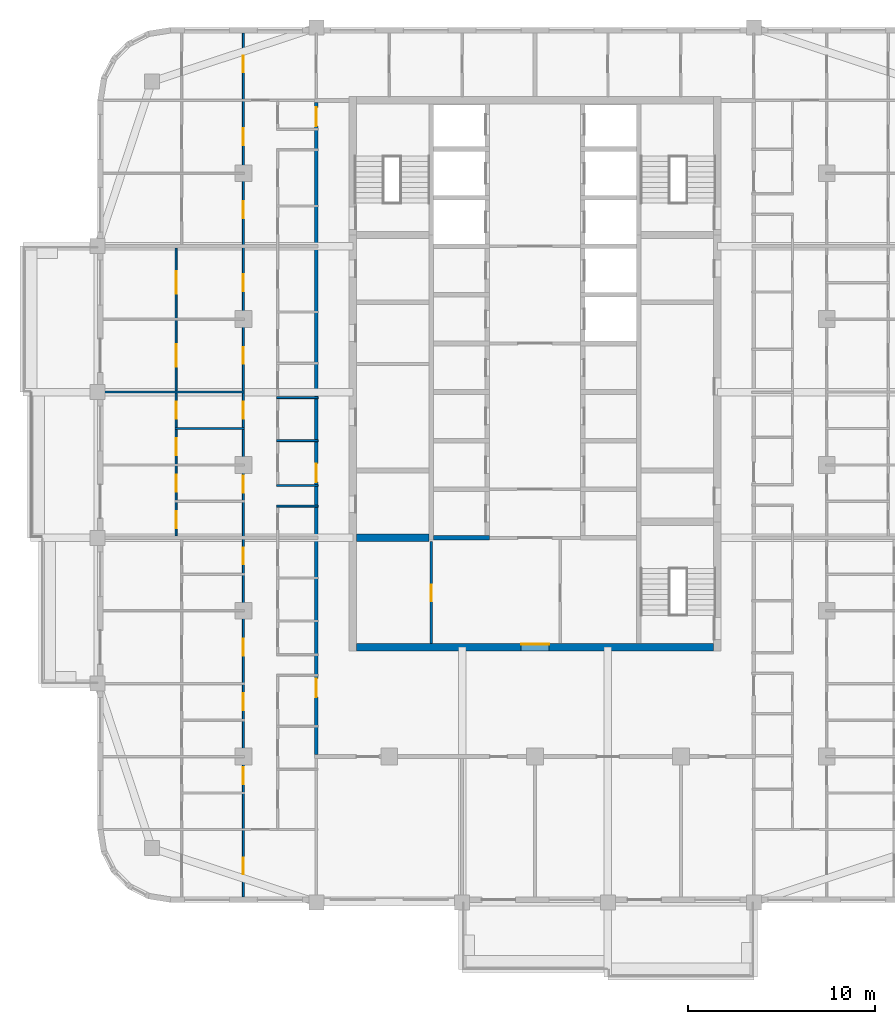
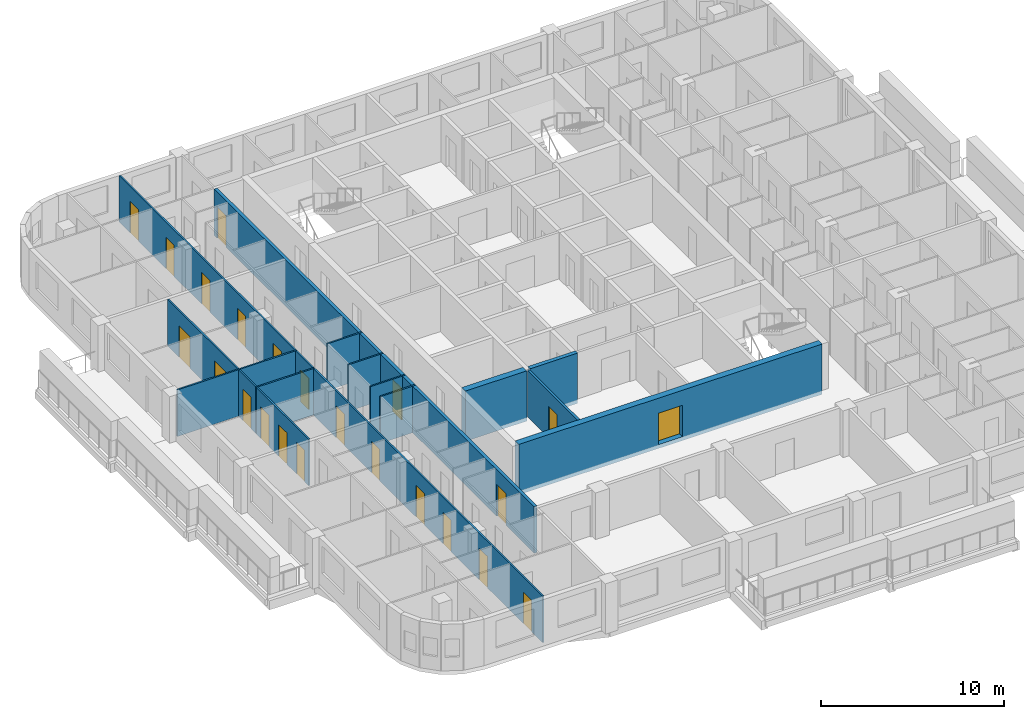
# One storey, part 4 of 16: 23 doors, 13 walls, 23 openings.
"""IFC4 building model written with IfcOpenShell, lengths in metres."""

from ifc_helpers import new_model, si_unit, direction, frame, frame_2d, origin, place, context, subcontext, project, spatial, rectangle, extrude, material, layer, layer_set, type_object, element, fill, save


model = new_model("IFC4")

# Units and contexts
model_context = context("Model", 3, precision=1e-05, world=origin(), true_north=direction((0.0, 1.0)))
body_context = subcontext(model_context, "Body", "Model", "MODEL_VIEW")
ifc_project = project(units=[si_unit("LENGTHUNIT", "METRE"), si_unit("AREAUNIT", "SQUARE_METRE"), si_unit("VOLUMEUNIT", "CUBIC_METRE"), si_unit("PLANEANGLEUNIT", "RADIAN"), si_unit("MASSUNIT", "GRAM", prefix="KILO")], contexts=[model_context])

# Site, building, storey
site_placement = place(None, origin())
site = spatial("IfcSite", under=ifc_project, at=site_placement, CompositionType="ELEMENT")
building_placement = place(site_placement, origin())
building = spatial("IfcBuilding", under=site, at=building_placement, Name="Ludao Terraces", CompositionType="ELEMENT")
storey_placement = place(building_placement, frame((0.0, 0.0, 238.10009765625)))
storey = spatial("IfcBuildingStorey", under=building, at=storey_placement, Name="L65", CompositionType="ELEMENT", Elevation=238.10009765625)

# Wall, opening, door
ifc_material_1 = material(Name="Concrete C50", Category="concrete")
ifc_layer_1 = layer(ifc_material_1, 0.39990234375)
ifc_layer_set_1 = layer_set([ifc_layer_1], Name="Core wall 400 C50")
wall_type_1 = type_object("IfcWallType", Name="Core wall 400 C50", PredefinedType="SOLIDWALL", material=ifc_layer_set_1)
wall_1_placement = place(storey_placement, frame((75.449951171875, 55.25, -0.25), z_axis=(0.0, 0.0, 1.0), x_axis=(1.0, 0.0, 0.0)))
wall_1 = element("IfcWall", 1, at=wall_1_placement, inside=storey, type_object=wall_type_1, Name="Core wall L65 outer-S", PredefinedType="SOLIDWALL", context=body_context, shape_type="SweptSolid", body=[
    extrude(rectangle(XDim=19.10009765625, YDim=0.39990234375, at=frame_2d((9.550048828125, 0.0))), origin(), (0.0, 0.0, 1.0), 3.349853515625),
])
opening_1_placement = place(wall_1_placement, frame((8.800048828125, 0.0, 0.25)))
opening_1 = element("IfcOpeningElement", 2, at=opening_1_placement, cuts=wall_1, Name="Opening R23-034", PredefinedType="OPENING", context=body_context, shape_type="SweptSolid", body=[
    extrude(rectangle(XDim=1.5, YDim=2.10009765625, at=frame_2d((0.75, 1.050048828125))), frame((0.0, 0.2099609375, 0.0), z_axis=(0.0, -1.0, 0.0), x_axis=(1.0, 0.0, 0.0)), (0.0, 0.0, 1.0), 0.419921875),
])
ifc_material_2 = material(Name="Steel Q235", Category="steel")
door_type_1 = type_object("IfcDoorType", Name="INT Lobby door 1500", OperationType="DOUBLE_DOOR_SINGLE_SWING", PredefinedType="DOOR", material=ifc_material_2)
door_1_placement = place(opening_1_placement, origin())
door_1 = element("IfcDoor", 3, at=door_1_placement, inside=storey, type_object=door_type_1, Name="DOOR 034", OperationType="DOUBLE_DOOR_SINGLE_SWING", OverallHeight=2.10009765625, OverallWidth=1.5, PredefinedType="DOOR", context=body_context, shape_type="SweptSolid", body=[
    extrude(rectangle(XDim=1.5, YDim=2.10009765625, at=frame_2d((0.75, 1.050048828125))), frame((0.0, 0.18505859375, 0.0), z_axis=(0.0, -1.0, 0.0), x_axis=(1.0, 0.0, 0.0)), (0.0, 0.0, 1.0), 0.050048828125),
])
fill(opening_1, door_1)

ifc_material_3 = material(Name="Fire-rated gypsum plasterboard", Category="gypsum")
ifc_layer_2 = layer(ifc_material_3, 0.012451171875, Category="gypsum")
ifc_material_4 = material(Name="Mineral wool")
ifc_layer_3 = layer(ifc_material_4, 0.10009765625, Name="insulation")
ifc_layer_4 = layer(ifc_material_2, 0.02490234375, Name="stud")
ifc_layer_5 = layer(ifc_material_3, 0.012451171875, Category="gypsum")
ifc_layer_set_2 = layer_set([ifc_layer_2, ifc_layer_3, ifc_layer_4, ifc_layer_5], Name="INT Core partition 150")
wall_type_2 = type_object("IfcWallType", Name="INT Core partition 150", PredefinedType="PARTITIONING", material=ifc_layer_set_2)
wall_2_placement = place(storey_placement, frame((79.449951171875, 55.4501953125, 0.0), z_axis=(0.0, 0.0, 1.0), x_axis=(0.0, 1.0, 0.0)))
wall_2 = element("IfcWall", 4, at=wall_2_placement, inside=storey, type_object=wall_type_2, Name="PW-L65-PW083", PredefinedType="PARTITIONING", context=body_context, shape_type="SweptSolid", body=[
    extrude(rectangle(XDim=5.449951171875, YDim=0.14990234375, at=frame_2d((2.72509765625, 0.0))), origin(), (0.0, 0.0, 1.0), 3.099853515625),
])
opening_2_placement = place(wall_2_placement, frame((2.25, 0.0, 0.0)))
opening_2 = element("IfcOpeningElement", 5, at=opening_2_placement, cuts=wall_2, Name="Opening R23-041", PredefinedType="OPENING", context=body_context, shape_type="SweptSolid", body=[
    extrude(rectangle(XDim=0.89990234375, YDim=2.10009765625, at=frame_2d((0.449951171875, 1.050048828125))), frame((0.0, 0.0849609375, 0.0), z_axis=(0.0, -1.0, 0.0), x_axis=(1.0, 0.0, 0.0)), (0.0, 0.0, 1.0), 0.169921875),
])
ifc_material_5 = material(Name="Timber door leaf", Category="wood")
door_type_2 = type_object("IfcDoorType", Name="INT Room door 900", OperationType="SINGLE_SWING_LEFT", PredefinedType="DOOR", material=ifc_material_5)
door_2_placement = place(opening_2_placement, origin())
door_2 = element("IfcDoor", 6, at=door_2_placement, inside=storey, type_object=door_type_2, Name="DOOR 041", OperationType="SINGLE_SWING_LEFT", OverallHeight=2.10009765625, OverallWidth=0.89990234375, PredefinedType="DOOR", context=body_context, shape_type="SweptSolid", body=[
    extrude(rectangle(XDim=0.89990234375, YDim=2.10009765625, at=frame_2d((0.449951171875, 1.050048828125))), frame((0.0, 0.02490234375, 0.0), z_axis=(0.0, -1.0, 0.0), x_axis=(1.0, 0.0, 0.0)), (0.0, 0.0, 1.0), 0.050048828125),
])
fill(opening_2, door_2)

# Wall, openings, doors
ifc_material_6 = material(Name="Autoclaved aerated concrete block B06 A3.5", Category="concrete")
ifc_layer_6 = layer(ifc_material_6, 0.199951171875)
ifc_layer_set_3 = layer_set([ifc_layer_6], Name="INT Entrance wall 200")
wall_type_3 = type_object("IfcWallType", Name="INT Entrance wall 200", PredefinedType="PARTITIONING", material=ifc_layer_set_3)
wall_3_placement = place(storey_placement, frame((73.300048828125, 49.5, 0.0), z_axis=(0.0, 0.0, 1.0), x_axis=(0.0, 1.0, 0.0)))
wall_3 = element("IfcWall", 7, at=wall_3_placement, inside=storey, type_object=wall_type_3, Name="PW-L65-PW080", PredefinedType="PARTITIONING", context=body_context, shape_type="SweptSolid", body=[
    extrude(rectangle(XDim=34.900146484375, YDim=0.199951171875, at=frame_2d((17.4501953125, 0.0))), origin(), (0.0, 0.0, 1.0), 3.099853515625),
])
opening_3_placement = place(wall_3_placement, frame((3.0751953125, 0.0, 0.0)))
opening_3 = element("IfcOpeningElement", 8, at=opening_3_placement, cuts=wall_3, Name="Opening R23-030", PredefinedType="OPENING", context=body_context, shape_type="SweptSolid", body=[
    extrude(rectangle(XDim=1.0, YDim=2.10009765625, at=frame_2d((0.5, 1.050048828125))), frame((0.0, 0.10986328125, 0.0), z_axis=(0.0, -1.0, 0.0), x_axis=(1.0, 0.0, 0.0)), (0.0, 0.0, 1.0), 0.219970703125),
])
opening_4_placement = place(wall_3_placement, frame((14.5751953125, 0.0, 0.0)))
opening_4 = element("IfcOpeningElement", 9, at=opening_4_placement, cuts=wall_3, Name="Opening R23-065", PredefinedType="OPENING", context=body_context, shape_type="SweptSolid", body=[
    extrude(rectangle(XDim=1.0, YDim=2.10009765625, at=frame_2d((0.5, 1.050048828125))), frame((0.0, 0.10986328125, 0.0), z_axis=(0.0, -1.0, 0.0), x_axis=(1.0, 0.0, 0.0)), (0.0, 0.0, 1.0), 0.219970703125),
])
opening_5_placement = place(wall_3_placement, frame((33.625, 0.0, 0.0)))
opening_5 = element("IfcOpeningElement", 10, at=opening_5_placement, cuts=wall_3, Name="Opening R23-131", PredefinedType="OPENING", context=body_context, shape_type="SweptSolid", body=[
    extrude(rectangle(XDim=1.0, YDim=2.10009765625, at=frame_2d((0.5, 1.050048828125))), frame((0.0, 0.10986328125, 0.0), z_axis=(0.0, -1.0, 0.0), x_axis=(1.0, 0.0, 0.0)), (0.0, 0.0, 1.0), 0.219970703125),
])
door_type_3 = type_object("IfcDoorType", Name="INT Flat entrance door 1000", OperationType="SINGLE_SWING_LEFT", PredefinedType="DOOR", material=ifc_material_2)
door_3_placement = place(opening_3_placement, origin())
door_3 = element("IfcDoor", 11, at=door_3_placement, inside=storey, type_object=door_type_3, Name="DOOR 030", OperationType="SINGLE_SWING_LEFT", OverallHeight=2.10009765625, OverallWidth=1.0, PredefinedType="DOOR", context=body_context, shape_type="SweptSolid", body=[
    extrude(rectangle(XDim=1.0, YDim=2.10009765625, at=frame_2d((0.5, 1.050048828125))), frame((0.0, 0.02490234375, 0.0), z_axis=(0.0, -1.0, 0.0), x_axis=(1.0, 0.0, 0.0)), (0.0, 0.0, 1.0), 0.050048828125),
])
fill(opening_3, door_3)
door_4_placement = place(opening_4_placement, origin())
door_4 = element("IfcDoor", 12, at=door_4_placement, inside=storey, type_object=door_type_3, Name="DOOR 065", OperationType="SINGLE_SWING_RIGHT", OverallHeight=2.10009765625, OverallWidth=1.0, PredefinedType="DOOR", context=body_context, shape_type="SweptSolid", body=[
    extrude(rectangle(XDim=1.0, YDim=2.10009765625, at=frame_2d((0.5, 1.050048828125))), frame((0.0, 0.02490234375, 0.0), z_axis=(0.0, -1.0, 0.0), x_axis=(1.0, 0.0, 0.0)), (0.0, 0.0, 1.0), 0.050048828125),
])
fill(opening_4, door_4)
door_5_placement = place(opening_5_placement, origin())
door_5 = element("IfcDoor", 13, at=door_5_placement, inside=storey, type_object=door_type_3, Name="DOOR 131", OperationType="SINGLE_SWING_RIGHT", OverallHeight=2.10009765625, OverallWidth=1.0, PredefinedType="DOOR", context=body_context, shape_type="SweptSolid", body=[
    extrude(rectangle(XDim=1.0, YDim=2.10009765625, at=frame_2d((0.5, 1.050048828125))), frame((0.0, 0.02490234375, 0.0), z_axis=(0.0, -1.0, 0.0), x_axis=(1.0, 0.0, 0.0)), (0.0, 0.0, 1.0), 0.050048828125),
])
fill(opening_5, door_5)

# Walls
ifc_material_7 = material(Name="Gypsum plasterboard", Category="gypsum")
ifc_layer_7 = layer(ifc_material_7, 0.012451171875, Category="gypsum")
ifc_layer_8 = layer(ifc_material_4, 0.06005859375, Name="insulation")
ifc_layer_9 = layer(ifc_material_2, 0.014892578125, Name="stud")
ifc_layer_10 = layer(ifc_material_7, 0.012451171875, Category="gypsum")
ifc_layer_set_4 = layer_set([ifc_layer_7, ifc_layer_8, ifc_layer_9, ifc_layer_10], Name="INT Partition 100")
wall_type_4 = type_object("IfcWallType", Name="INT Partition 100", PredefinedType="PARTITIONING", material=ifc_layer_set_4)
for number, where, z_axis, x_axis, name in (
    (14, (71.18017578125, 62.800048828125, 0.0), (0.0, 0.0, 1.0), (1.0, 0.0, 0.0), "PW-L65-PW030"),
    (15, (71.18017578125, 63.89990234375, 0.0), (0.0, 0.0, 1.0), (1.0, 0.0, 0.0), "PW-L65-PW035"),
    (16, (71.18017578125, 66.300048828125, 0.0), (0.0, 0.0, 1.0), (1.0, 0.0, 0.0), "PW-L65-PW039"),
):
    element("IfcWall", number, at=place(storey_placement, frame(where, z_axis=z_axis, x_axis=x_axis)), inside=storey, type_object=wall_type_4, Name=name, PredefinedType="PARTITIONING", context=body_context, shape_type="SweptSolid", body=[
        extrude(rectangle(XDim=2.219970703125, YDim=0.10009765625, at=frame_2d((1.10986328125, 0.0))), origin(), (0.0, 0.0, 1.0), 3.099853515625),
    ])
wall_4_placement = place(storey_placement, frame((65.75, 66.949951171875, 0.0), z_axis=(0.0, 0.0, 1.0), x_axis=(1.0, 0.0, 0.0)))
element("IfcWall", 17, at=wall_4_placement, inside=storey, type_object=wall_type_4, Name="PW-L65-PW041", PredefinedType="PARTITIONING", context=body_context, shape_type="SweptSolid", body=[
    extrude(rectangle(XDim=3.7001953125, YDim=0.10009765625, at=frame_2d((1.85009765625, 0.0))), origin(), (0.0, 0.0, 1.0), 3.099853515625),
])
wall_5_placement = place(storey_placement, frame((71.18017578125, 68.60009765625, 0.0), z_axis=(0.0, 0.0, 1.0), x_axis=(1.0, 0.0, 0.0)))
element("IfcWall", 18, at=wall_5_placement, inside=storey, type_object=wall_type_4, Name="PW-L65-PW043", PredefinedType="PARTITIONING", context=body_context, shape_type="SweptSolid", body=[
    extrude(rectangle(XDim=2.219970703125, YDim=0.10009765625, at=frame_2d((1.10986328125, 0.0))), origin(), (0.0, 0.0, 1.0), 3.099853515625),
])
wall_6_placement = place(storey_placement, frame((61.900146484375, 68.89990234375, 0.0), z_axis=(0.0, 0.0, 1.0), x_axis=(1.0, 0.0, 0.0)))
element("IfcWall", 19, at=wall_6_placement, inside=storey, type_object=wall_type_4, Name="PW-L65-PW045", PredefinedType="PARTITIONING", context=body_context, shape_type="SweptSolid", body=[
    extrude(rectangle(XDim=7.550048828125, YDim=0.10009765625, at=frame_2d((3.77490234375, 0.0))), origin(), (0.0, 0.0, 1.0), 3.099853515625),
])

# Wall, openings, doors
wall_7_placement = place(storey_placement, frame((65.800048828125, 61.2001953125, 0.0), z_axis=(0.0, 0.0, 1.0), x_axis=(0.0, 1.0, 0.0)))
wall_7 = element("IfcWall", 20, at=wall_7_placement, inside=storey, type_object=wall_type_4, Name="PW-L65-PW071", PredefinedType="PARTITIONING", context=body_context, shape_type="SweptSolid", body=[
    extrude(rectangle(XDim=15.39990234375, YDim=0.10009765625, at=frame_2d((7.699951171875, 0.0))), origin(), (0.0, 0.0, 1.0), 3.099853515625),
])
opening_6_placement = place(wall_7_placement, frame((0.4248046875, 0.0, 0.0)))
opening_6 = element("IfcOpeningElement", 21, at=opening_6_placement, cuts=wall_7, Name="Opening R23-054", PredefinedType="OPENING", context=body_context, shape_type="SweptSolid", body=[
    extrude(rectangle(XDim=0.89990234375, YDim=2.10009765625, at=frame_2d((0.449951171875, 1.050048828125))), frame((0.0, 0.06005859375, 0.0), z_axis=(0.0, -1.0, 0.0), x_axis=(1.0, 0.0, 0.0)), (0.0, 0.0, 1.0), 0.1201171875),
])
opening_7_placement = place(wall_7_placement, frame((2.375, 0.0, 0.0)))
opening_7 = element("IfcOpeningElement", 22, at=opening_7_placement, cuts=wall_7, Name="Opening R23-063", PredefinedType="OPENING", context=body_context, shape_type="SweptSolid", body=[
    extrude(rectangle(XDim=0.89990234375, YDim=2.10009765625, at=frame_2d((0.449951171875, 1.050048828125))), frame((0.0, 0.06005859375, 0.0), z_axis=(0.0, -1.0, 0.0), x_axis=(1.0, 0.0, 0.0)), (0.0, 0.0, 1.0), 0.1201171875),
])
opening_8_placement = place(wall_7_placement, frame((4.324951171875, 0.0, 0.0)))
opening_8 = element("IfcOpeningElement", 23, at=opening_8_placement, cuts=wall_7, Name="Opening R23-071", PredefinedType="OPENING", context=body_context, shape_type="SweptSolid", body=[
    extrude(rectangle(XDim=0.89990234375, YDim=2.10009765625, at=frame_2d((0.449951171875, 1.050048828125))), frame((0.0, 0.06005859375, 0.0), z_axis=(0.0, -1.0, 0.0), x_axis=(1.0, 0.0, 0.0)), (0.0, 0.0, 1.0), 0.1201171875),
])
opening_9_placement = place(wall_7_placement, frame((6.27490234375, 0.0, 0.0)))
opening_9 = element("IfcOpeningElement", 24, at=opening_9_placement, cuts=wall_7, Name="Opening R23-078", PredefinedType="OPENING", context=body_context, shape_type="SweptSolid", body=[
    extrude(rectangle(XDim=0.89990234375, YDim=2.10009765625, at=frame_2d((0.449951171875, 1.050048828125))), frame((0.0, 0.06005859375, 0.0), z_axis=(0.0, -1.0, 0.0), x_axis=(1.0, 0.0, 0.0)), (0.0, 0.0, 1.0), 0.1201171875),
])
opening_10_placement = place(wall_7_placement, frame((9.0498046875, 0.0, 0.0)))
opening_10 = element("IfcOpeningElement", 25, at=opening_10_placement, cuts=wall_7, Name="Opening R23-087", PredefinedType="OPENING", context=body_context, shape_type="SweptSolid", body=[
    extrude(rectangle(XDim=1.199951171875, YDim=2.10009765625, at=frame_2d((0.60009765625, 1.050048828125))), frame((0.0, 0.06005859375, 0.0), z_axis=(0.0, -1.0, 0.0), x_axis=(1.0, 0.0, 0.0)), (0.0, 0.0, 1.0), 0.1201171875),
])
opening_11_placement = place(wall_7_placement, frame((12.949951171875, 0.0, 0.0)))
opening_11 = element("IfcOpeningElement", 26, at=opening_11_placement, cuts=wall_7, Name="Opening R23-098", PredefinedType="OPENING", context=body_context, shape_type="SweptSolid", body=[
    extrude(rectangle(XDim=1.199951171875, YDim=2.10009765625, at=frame_2d((0.60009765625, 1.050048828125))), frame((0.0, 0.06005859375, 0.0), z_axis=(0.0, -1.0, 0.0), x_axis=(1.0, 0.0, 0.0)), (0.0, 0.0, 1.0), 0.1201171875),
])
door_type_4 = type_object("IfcDoorType", Name="INT Bathroom door 900", OperationType="SINGLE_SWING_LEFT", PredefinedType="DOOR", material=ifc_material_5)
door_6_placement = place(opening_6_placement, origin())
door_6 = element("IfcDoor", 27, at=door_6_placement, inside=storey, type_object=door_type_4, Name="DOOR 054", OperationType="SINGLE_SWING_RIGHT", OverallHeight=2.10009765625, OverallWidth=0.89990234375, PredefinedType="DOOR", context=body_context, shape_type="SweptSolid", body=[
    extrude(rectangle(XDim=0.89990234375, YDim=2.10009765625, at=frame_2d((0.449951171875, 1.050048828125))), frame((0.0, 0.02490234375, 0.0), z_axis=(0.0, -1.0, 0.0), x_axis=(1.0, 0.0, 0.0)), (0.0, 0.0, 1.0), 0.050048828125),
])
fill(opening_6, door_6)
door_7_placement = place(opening_8_placement, origin())
door_7 = element("IfcDoor", 28, at=door_7_placement, inside=storey, type_object=door_type_4, Name="DOOR 071", OperationType="SINGLE_SWING_RIGHT", OverallHeight=2.10009765625, OverallWidth=0.89990234375, PredefinedType="DOOR", context=body_context, shape_type="SweptSolid", body=[
    extrude(rectangle(XDim=0.89990234375, YDim=2.10009765625, at=frame_2d((0.449951171875, 1.050048828125))), frame((0.0, 0.02490234375, 0.0), z_axis=(0.0, -1.0, 0.0), x_axis=(1.0, 0.0, 0.0)), (0.0, 0.0, 1.0), 0.050048828125),
])
fill(opening_8, door_7)
door_type_5 = type_object("IfcDoorType", Name="INT Double door 1200", OperationType="DOUBLE_DOOR_SINGLE_SWING", PredefinedType="DOOR", material=ifc_material_5)
door_8_placement = place(opening_10_placement, origin())
door_8 = element("IfcDoor", 29, at=door_8_placement, inside=storey, type_object=door_type_5, Name="DOOR 087", OperationType="DOUBLE_DOOR_SINGLE_SWING", OverallHeight=2.10009765625, OverallWidth=1.199951171875, PredefinedType="DOOR", context=body_context, shape_type="SweptSolid", body=[
    extrude(rectangle(XDim=1.199951171875, YDim=2.10009765625, at=frame_2d((0.60009765625, 1.050048828125))), frame((0.0, 0.02490234375, 0.0), z_axis=(0.0, -1.0, 0.0), x_axis=(1.0, 0.0, 0.0)), (0.0, 0.0, 1.0), 0.050048828125),
])
fill(opening_10, door_8)
door_9_placement = place(opening_11_placement, origin())
door_9 = element("IfcDoor", 30, at=door_9_placement, inside=storey, type_object=door_type_5, Name="DOOR 098", OperationType="DOUBLE_DOOR_SINGLE_SWING", OverallHeight=2.10009765625, OverallWidth=1.199951171875, PredefinedType="DOOR", context=body_context, shape_type="SweptSolid", body=[
    extrude(rectangle(XDim=1.199951171875, YDim=2.10009765625, at=frame_2d((0.60009765625, 1.050048828125))), frame((0.0, 0.02490234375, 0.0), z_axis=(0.0, -1.0, 0.0), x_axis=(1.0, 0.0, 0.0)), (0.0, 0.0, 1.0), 0.050048828125),
])
fill(opening_11, door_9)
door_10_placement = place(opening_7_placement, origin())
door_10 = element("IfcDoor", 31, at=door_10_placement, inside=storey, type_object=door_type_2, Name="DOOR 063", OperationType="SINGLE_SWING_RIGHT", OverallHeight=2.10009765625, OverallWidth=0.89990234375, PredefinedType="DOOR", context=body_context, shape_type="SweptSolid", body=[
    extrude(rectangle(XDim=0.89990234375, YDim=2.10009765625, at=frame_2d((0.449951171875, 1.050048828125))), frame((0.0, 0.02490234375, 0.0), z_axis=(0.0, -1.0, 0.0), x_axis=(1.0, 0.0, 0.0)), (0.0, 0.0, 1.0), 0.050048828125),
])
fill(opening_7, door_10)
door_11_placement = place(opening_9_placement, origin())
door_11 = element("IfcDoor", 32, at=door_11_placement, inside=storey, type_object=door_type_2, Name="DOOR 078", OperationType="SINGLE_SWING_LEFT", OverallHeight=2.10009765625, OverallWidth=0.89990234375, PredefinedType="DOOR", context=body_context, shape_type="SweptSolid", body=[
    extrude(rectangle(XDim=0.89990234375, YDim=2.10009765625, at=frame_2d((0.449951171875, 1.050048828125))), frame((0.0, 0.02490234375, 0.0), z_axis=(0.0, -1.0, 0.0), x_axis=(1.0, 0.0, 0.0)), (0.0, 0.0, 1.0), 0.050048828125),
])
fill(opening_9, door_11)

wall_8_placement = place(storey_placement, frame((69.39990234375, 41.900146484375, 0.0), z_axis=(0.0, 0.0, 1.0), x_axis=(0.0, 1.0, 0.0)))
wall_8 = element("IfcWall", 33, at=wall_8_placement, inside=storey, type_object=wall_type_4, Name="PW-L65-PW074", PredefinedType="PARTITIONING", context=body_context, shape_type="SweptSolid", body=[
    extrude(rectangle(XDim=46.199951171875, YDim=0.10009765625, at=frame_2d((23.10009765625, 0.0))), origin(), (0.0, 0.0, 1.0), 3.099853515625),
])
opening_12_placement = place(wall_8_placement, frame((1.199951171875, 0.0, 0.0)))
opening_12 = element("IfcOpeningElement", 34, at=opening_12_placement, cuts=wall_8, Name="Opening R23-002", PredefinedType="OPENING", context=body_context, shape_type="SweptSolid", body=[
    extrude(rectangle(XDim=0.89990234375, YDim=2.10009765625, at=frame_2d((0.449951171875, 1.050048828125))), frame((0.0, 0.06005859375, 0.0), z_axis=(0.0, -1.0, 0.0), x_axis=(1.0, 0.0, 0.0)), (0.0, 0.0, 1.0), 0.1201171875),
])
opening_13_placement = place(wall_8_placement, frame((6.02490234375, 0.0, 0.0)))
opening_13 = element("IfcOpeningElement", 35, at=opening_13_placement, cuts=wall_8, Name="Opening R23-011", PredefinedType="OPENING", context=body_context, shape_type="SweptSolid", body=[
    extrude(rectangle(XDim=0.89990234375, YDim=2.10009765625, at=frame_2d((0.449951171875, 1.050048828125))), frame((0.0, 0.06005859375, 0.0), z_axis=(0.0, -1.0, 0.0), x_axis=(1.0, 0.0, 0.0)), (0.0, 0.0, 1.0), 0.1201171875),
])
opening_14_placement = place(wall_8_placement, frame((9.97509765625, 0.0, 0.0)))
opening_14 = element("IfcOpeningElement", 36, at=opening_14_placement, cuts=wall_8, Name="Opening R23-025", PredefinedType="OPENING", context=body_context, shape_type="SweptSolid", body=[
    extrude(rectangle(XDim=0.89990234375, YDim=2.10009765625, at=frame_2d((0.449951171875, 1.050048828125))), frame((0.0, 0.06005859375, 0.0), z_axis=(0.0, -1.0, 0.0), x_axis=(1.0, 0.0, 0.0)), (0.0, 0.0, 1.0), 0.1201171875),
])
opening_15_placement = place(wall_8_placement, frame((12.89990234375, 0.0, 0.0)))
opening_15 = element("IfcOpeningElement", 37, at=opening_15_placement, cuts=wall_8, Name="Opening R23-033", PredefinedType="OPENING", context=body_context, shape_type="SweptSolid", body=[
    extrude(rectangle(XDim=0.89990234375, YDim=2.10009765625, at=frame_2d((0.449951171875, 1.050048828125))), frame((0.0, 0.06005859375, 0.0), z_axis=(0.0, -1.0, 0.0), x_axis=(1.0, 0.0, 0.0)), (0.0, 0.0, 1.0), 0.1201171875),
])
opening_16_placement = place(wall_8_placement, frame((17.77490234375, 0.0, 0.0)))
opening_16 = element("IfcOpeningElement", 38, at=opening_16_placement, cuts=wall_8, Name="Opening R23-048", PredefinedType="OPENING", context=body_context, shape_type="SweptSolid", body=[
    extrude(rectangle(XDim=0.89990234375, YDim=2.10009765625, at=frame_2d((0.449951171875, 1.050048828125))), frame((0.0, 0.06005859375, 0.0), z_axis=(0.0, -1.0, 0.0), x_axis=(1.0, 0.0, 0.0)), (0.0, 0.0, 1.0), 0.1201171875),
])
opening_17_placement = place(wall_8_placement, frame((21.625, 0.0, 0.0)))
opening_17 = element("IfcOpeningElement", 39, at=opening_17_placement, cuts=wall_8, Name="Opening R23-061", PredefinedType="OPENING", context=body_context, shape_type="SweptSolid", body=[
    extrude(rectangle(XDim=0.89990234375, YDim=2.10009765625, at=frame_2d((0.449951171875, 1.050048828125))), frame((0.0, 0.06005859375, 0.0), z_axis=(0.0, -1.0, 0.0), x_axis=(1.0, 0.0, 0.0)), (0.0, 0.0, 1.0), 0.1201171875),
])
opening_18_placement = place(wall_8_placement, frame((25.574951171875, 0.0, 0.0)))
opening_18 = element("IfcOpeningElement", 40, at=opening_18_placement, cuts=wall_8, Name="Opening R23-079", PredefinedType="OPENING", context=body_context, shape_type="SweptSolid", body=[
    extrude(rectangle(XDim=0.89990234375, YDim=2.10009765625, at=frame_2d((0.449951171875, 1.050048828125))), frame((0.0, 0.06005859375, 0.0), z_axis=(0.0, -1.0, 0.0), x_axis=(1.0, 0.0, 0.0)), (0.0, 0.0, 1.0), 0.1201171875),
])
opening_19_placement = place(wall_8_placement, frame((28.5, 0.0, 0.0)))
opening_19 = element("IfcOpeningElement", 41, at=opening_19_placement, cuts=wall_8, Name="Opening R23-088", PredefinedType="OPENING", context=body_context, shape_type="SweptSolid", body=[
    extrude(rectangle(XDim=0.89990234375, YDim=2.10009765625, at=frame_2d((0.449951171875, 1.050048828125))), frame((0.0, 0.06005859375, 0.0), z_axis=(0.0, -1.0, 0.0), x_axis=(1.0, 0.0, 0.0)), (0.0, 0.0, 1.0), 0.1201171875),
])
opening_20_placement = place(wall_8_placement, frame((32.39990234375, 0.0, 0.0)))
opening_20 = element("IfcOpeningElement", 42, at=opening_20_placement, cuts=wall_8, Name="Opening R23-099", PredefinedType="OPENING", context=body_context, shape_type="SweptSolid", body=[
    extrude(rectangle(XDim=0.89990234375, YDim=2.10009765625, at=frame_2d((0.449951171875, 1.050048828125))), frame((0.0, 0.06005859375, 0.0), z_axis=(0.0, -1.0, 0.0), x_axis=(1.0, 0.0, 0.0)), (0.0, 0.0, 1.0), 0.1201171875),
])
opening_21_placement = place(wall_8_placement, frame((36.300048828125, 0.0, 0.0)))
opening_21 = element("IfcOpeningElement", 43, at=opening_21_placement, cuts=wall_8, Name="Opening R23-116", PredefinedType="OPENING", context=body_context, shape_type="SweptSolid", body=[
    extrude(rectangle(XDim=0.89990234375, YDim=2.10009765625, at=frame_2d((0.449951171875, 1.050048828125))), frame((0.0, 0.06005859375, 0.0), z_axis=(0.0, -1.0, 0.0), x_axis=(1.0, 0.0, 0.0)), (0.0, 0.0, 1.0), 0.1201171875),
])
opening_22_placement = place(wall_8_placement, frame((40.199951171875, 0.0, 0.0)))
opening_22 = element("IfcOpeningElement", 44, at=opening_22_placement, cuts=wall_8, Name="Opening R23-125", PredefinedType="OPENING", context=body_context, shape_type="SweptSolid", body=[
    extrude(rectangle(XDim=0.89990234375, YDim=2.10009765625, at=frame_2d((0.449951171875, 1.050048828125))), frame((0.0, 0.06005859375, 0.0), z_axis=(0.0, -1.0, 0.0), x_axis=(1.0, 0.0, 0.0)), (0.0, 0.0, 1.0), 0.1201171875),
])
opening_23_placement = place(wall_8_placement, frame((44.10009765625, 0.0, 0.0)))
opening_23 = element("IfcOpeningElement", 45, at=opening_23_placement, cuts=wall_8, Name="Opening R23-136", PredefinedType="OPENING", context=body_context, shape_type="SweptSolid", body=[
    extrude(rectangle(XDim=0.89990234375, YDim=2.10009765625, at=frame_2d((0.449951171875, 1.050048828125))), frame((0.0, 0.06005859375, 0.0), z_axis=(0.0, -1.0, 0.0), x_axis=(1.0, 0.0, 0.0)), (0.0, 0.0, 1.0), 0.1201171875),
])
door_12_placement = place(opening_12_placement, origin())
door_12 = element("IfcDoor", 46, at=door_12_placement, inside=storey, type_object=door_type_2, Name="DOOR 002", OperationType="SINGLE_SWING_LEFT", OverallHeight=2.10009765625, OverallWidth=0.89990234375, PredefinedType="DOOR", context=body_context, shape_type="SweptSolid", body=[
    extrude(rectangle(XDim=0.89990234375, YDim=2.10009765625, at=frame_2d((0.449951171875, 1.050048828125))), frame((0.0, 0.02490234375, 0.0), z_axis=(0.0, -1.0, 0.0), x_axis=(1.0, 0.0, 0.0)), (0.0, 0.0, 1.0), 0.050048828125),
])
fill(opening_12, door_12)
door_13_placement = place(opening_13_placement, origin())
door_13 = element("IfcDoor", 47, at=door_13_placement, inside=storey, type_object=door_type_2, Name="DOOR 011", OperationType="SINGLE_SWING_LEFT", OverallHeight=2.10009765625, OverallWidth=0.89990234375, PredefinedType="DOOR", context=body_context, shape_type="SweptSolid", body=[
    extrude(rectangle(XDim=0.89990234375, YDim=2.10009765625, at=frame_2d((0.449951171875, 1.050048828125))), frame((0.0, 0.02490234375, 0.0), z_axis=(0.0, -1.0, 0.0), x_axis=(1.0, 0.0, 0.0)), (0.0, 0.0, 1.0), 0.050048828125),
])
fill(opening_13, door_13)
door_14_placement = place(opening_14_placement, origin())
door_14 = element("IfcDoor", 48, at=door_14_placement, inside=storey, type_object=door_type_2, Name="DOOR 025", OperationType="SINGLE_SWING_LEFT", OverallHeight=2.10009765625, OverallWidth=0.89990234375, PredefinedType="DOOR", context=body_context, shape_type="SweptSolid", body=[
    extrude(rectangle(XDim=0.89990234375, YDim=2.10009765625, at=frame_2d((0.449951171875, 1.050048828125))), frame((0.0, 0.02490234375, 0.0), z_axis=(0.0, -1.0, 0.0), x_axis=(1.0, 0.0, 0.0)), (0.0, 0.0, 1.0), 0.050048828125),
])
fill(opening_14, door_14)
door_15_placement = place(opening_15_placement, origin())
door_15 = element("IfcDoor", 49, at=door_15_placement, inside=storey, type_object=door_type_2, Name="DOOR 033", OperationType="SINGLE_SWING_LEFT", OverallHeight=2.10009765625, OverallWidth=0.89990234375, PredefinedType="DOOR", context=body_context, shape_type="SweptSolid", body=[
    extrude(rectangle(XDim=0.89990234375, YDim=2.10009765625, at=frame_2d((0.449951171875, 1.050048828125))), frame((0.0, 0.02490234375, 0.0), z_axis=(0.0, -1.0, 0.0), x_axis=(1.0, 0.0, 0.0)), (0.0, 0.0, 1.0), 0.050048828125),
])
fill(opening_15, door_15)
door_16_placement = place(opening_16_placement, origin())
door_16 = element("IfcDoor", 50, at=door_16_placement, inside=storey, type_object=door_type_2, Name="DOOR 048", OperationType="SINGLE_SWING_RIGHT", OverallHeight=2.10009765625, OverallWidth=0.89990234375, PredefinedType="DOOR", context=body_context, shape_type="SweptSolid", body=[
    extrude(rectangle(XDim=0.89990234375, YDim=2.10009765625, at=frame_2d((0.449951171875, 1.050048828125))), frame((0.0, 0.02490234375, 0.0), z_axis=(0.0, -1.0, 0.0), x_axis=(1.0, 0.0, 0.0)), (0.0, 0.0, 1.0), 0.050048828125),
])
fill(opening_16, door_16)
door_17_placement = place(opening_17_placement, origin())
door_17 = element("IfcDoor", 51, at=door_17_placement, inside=storey, type_object=door_type_2, Name="DOOR 061", OperationType="SINGLE_SWING_LEFT", OverallHeight=2.10009765625, OverallWidth=0.89990234375, PredefinedType="DOOR", context=body_context, shape_type="SweptSolid", body=[
    extrude(rectangle(XDim=0.89990234375, YDim=2.10009765625, at=frame_2d((0.449951171875, 1.050048828125))), frame((0.0, 0.02490234375, 0.0), z_axis=(0.0, -1.0, 0.0), x_axis=(1.0, 0.0, 0.0)), (0.0, 0.0, 1.0), 0.050048828125),
])
fill(opening_17, door_17)
door_18_placement = place(opening_18_placement, origin())
door_18 = element("IfcDoor", 52, at=door_18_placement, inside=storey, type_object=door_type_2, Name="DOOR 079", OperationType="SINGLE_SWING_LEFT", OverallHeight=2.10009765625, OverallWidth=0.89990234375, PredefinedType="DOOR", context=body_context, shape_type="SweptSolid", body=[
    extrude(rectangle(XDim=0.89990234375, YDim=2.10009765625, at=frame_2d((0.449951171875, 1.050048828125))), frame((0.0, 0.02490234375, 0.0), z_axis=(0.0, -1.0, 0.0), x_axis=(1.0, 0.0, 0.0)), (0.0, 0.0, 1.0), 0.050048828125),
])
fill(opening_18, door_18)
door_19_placement = place(opening_19_placement, origin())
door_19 = element("IfcDoor", 53, at=door_19_placement, inside=storey, type_object=door_type_2, Name="DOOR 088", OperationType="SINGLE_SWING_LEFT", OverallHeight=2.10009765625, OverallWidth=0.89990234375, PredefinedType="DOOR", context=body_context, shape_type="SweptSolid", body=[
    extrude(rectangle(XDim=0.89990234375, YDim=2.10009765625, at=frame_2d((0.449951171875, 1.050048828125))), frame((0.0, 0.02490234375, 0.0), z_axis=(0.0, -1.0, 0.0), x_axis=(1.0, 0.0, 0.0)), (0.0, 0.0, 1.0), 0.050048828125),
])
fill(opening_19, door_19)
door_20_placement = place(opening_20_placement, origin())
door_20 = element("IfcDoor", 54, at=door_20_placement, inside=storey, type_object=door_type_2, Name="DOOR 099", OperationType="SINGLE_SWING_RIGHT", OverallHeight=2.10009765625, OverallWidth=0.89990234375, PredefinedType="DOOR", context=body_context, shape_type="SweptSolid", body=[
    extrude(rectangle(XDim=0.89990234375, YDim=2.10009765625, at=frame_2d((0.449951171875, 1.050048828125))), frame((0.0, 0.02490234375, 0.0), z_axis=(0.0, -1.0, 0.0), x_axis=(1.0, 0.0, 0.0)), (0.0, 0.0, 1.0), 0.050048828125),
])
fill(opening_20, door_20)
door_21_placement = place(opening_21_placement, origin())
door_21 = element("IfcDoor", 55, at=door_21_placement, inside=storey, type_object=door_type_2, Name="DOOR 116", OperationType="SINGLE_SWING_RIGHT", OverallHeight=2.10009765625, OverallWidth=0.89990234375, PredefinedType="DOOR", context=body_context, shape_type="SweptSolid", body=[
    extrude(rectangle(XDim=0.89990234375, YDim=2.10009765625, at=frame_2d((0.449951171875, 1.050048828125))), frame((0.0, 0.02490234375, 0.0), z_axis=(0.0, -1.0, 0.0), x_axis=(1.0, 0.0, 0.0)), (0.0, 0.0, 1.0), 0.050048828125),
])
fill(opening_21, door_21)
door_22_placement = place(opening_22_placement, origin())
door_22 = element("IfcDoor", 56, at=door_22_placement, inside=storey, type_object=door_type_2, Name="DOOR 125", OperationType="SINGLE_SWING_RIGHT", OverallHeight=2.10009765625, OverallWidth=0.89990234375, PredefinedType="DOOR", context=body_context, shape_type="SweptSolid", body=[
    extrude(rectangle(XDim=0.89990234375, YDim=2.10009765625, at=frame_2d((0.449951171875, 1.050048828125))), frame((0.0, 0.02490234375, 0.0), z_axis=(0.0, -1.0, 0.0), x_axis=(1.0, 0.0, 0.0)), (0.0, 0.0, 1.0), 0.050048828125),
])
fill(opening_22, door_22)
door_23_placement = place(opening_23_placement, origin())
door_23 = element("IfcDoor", 57, at=door_23_placement, inside=storey, type_object=door_type_2, Name="DOOR 136", OperationType="SINGLE_SWING_RIGHT", OverallHeight=2.10009765625, OverallWidth=0.89990234375, PredefinedType="DOOR", context=body_context, shape_type="SweptSolid", body=[
    extrude(rectangle(XDim=0.89990234375, YDim=2.10009765625, at=frame_2d((0.449951171875, 1.050048828125))), frame((0.0, 0.02490234375, 0.0), z_axis=(0.0, -1.0, 0.0), x_axis=(1.0, 0.0, 0.0)), (0.0, 0.0, 1.0), 0.050048828125),
])
fill(opening_23, door_23)

# Walls
ifc_layer_11 = layer(ifc_material_1, 0.25)
ifc_layer_set_5 = layer_set([ifc_layer_11], Name="Shaft wall 250 C50")
wall_type_5 = type_object("IfcWallType", Name="Shaft wall 250 C50", PredefinedType="SOLIDWALL", material=ifc_layer_set_5)
wall_9_placement = place(storey_placement, frame((79.574951171875, 61.10009765625, -0.25), z_axis=(0.0, 0.0, 1.0), x_axis=(1.0, 0.0, 0.0)))
element("IfcWall", 58, at=wall_9_placement, inside=storey, type_object=wall_type_5, Name="Core wall L65 div-W1", PredefinedType="SOLIDWALL", context=body_context, shape_type="SweptSolid", body=[
    extrude(rectangle(XDim=3.0, YDim=0.25, at=frame_2d((1.5, 0.0))), origin(), (0.0, 0.0, 1.0), 3.349853515625),
])
ifc_layer_12 = layer(ifc_material_1, 0.39990234375)
ifc_layer_set_6 = layer_set([ifc_layer_12], Name="Shaft wall 400 C50")
wall_type_6 = type_object("IfcWallType", Name="Shaft wall 400 C50", PredefinedType="SOLIDWALL", material=ifc_layer_set_6)
wall_10_placement = place(storey_placement, frame((75.449951171875, 61.10009765625, -0.25), z_axis=(0.0, 0.0, 1.0), x_axis=(1.0, 0.0, 0.0)))
element("IfcWall", 59, at=wall_10_placement, inside=storey, type_object=wall_type_6, Name="Core wall L65 hall-W", PredefinedType="SOLIDWALL", context=body_context, shape_type="SweptSolid", body=[
    extrude(rectangle(XDim=3.875, YDim=0.39990234375, at=frame_2d((1.9375, 0.0))), origin(), (0.0, 0.0, 1.0), 3.349853515625),
])

save(model, "model.ifc")
